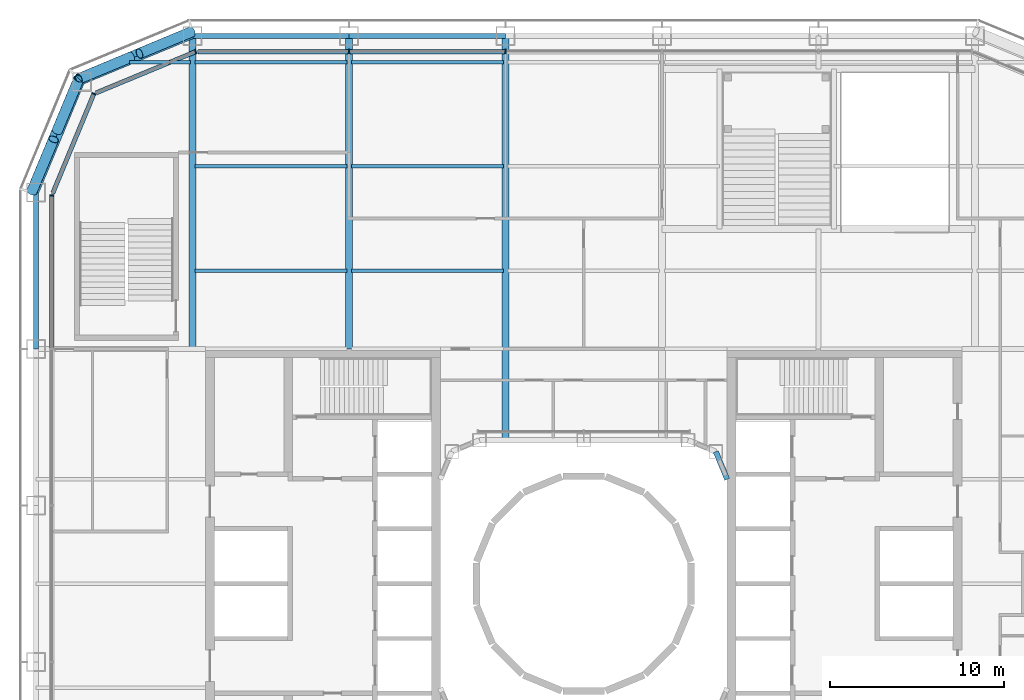
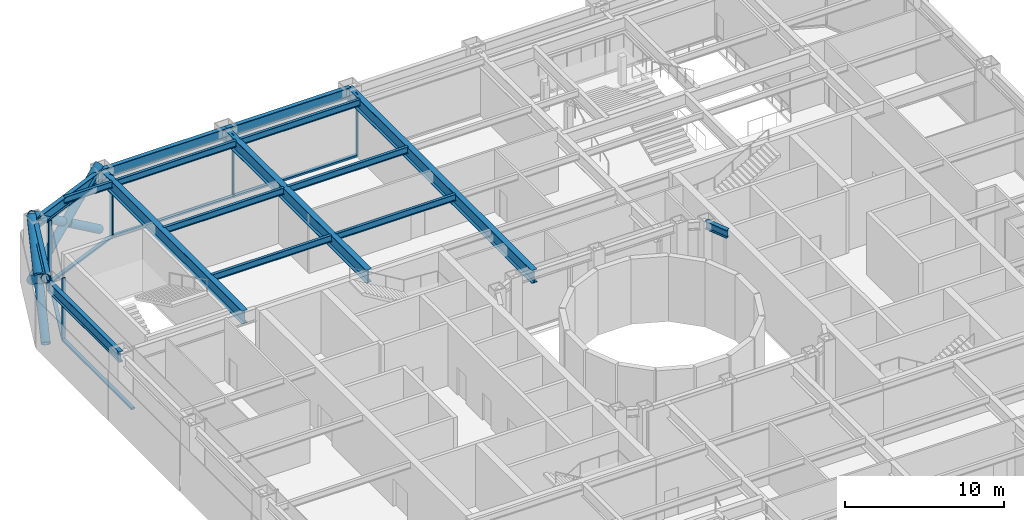
# One storey, part 7 of 25: 16 beams, 16 members, 4 elements without a shape of their own.
"""IFC4 building model written with IfcOpenShell, lengths in metres."""

import ifcopenshell
import ifcopenshell.guid

model = None  # the IFC model being written
_history = None  # IfcOwnerHistory: only IFC2X3 demands one
_inside = {}  # id of a spatial element -> (the spatial element, [elements in it])
_under = {}  # id of a project, library or spatial element -> (it, [spatial elements below it])
_declared = {}  # id of a project -> (the project, [libraries it declares])
_typed = {}  # id of a type object -> (the type object, [elements of that type])
_made_of = {}  # id of a material, layer set ... -> (it, [elements and type objects made of it])


def new_model(schema):
    """Start an empty IFC model of exactly this schema.

    Asked for "IFC4X3", IfcOpenShell would pick the latest addendum, in which some entities
    have other attributes; the version numbers below select the first issue.
    IFC2X3 requires an IfcOwnerHistory on every rooted entity: one is made here for all.
    """
    global model, _history
    if schema == "IFC4X3":
        model = ifcopenshell.file(schema_version=(4, 3, 0, 0))
    else:
        model = ifcopenshell.file(schema=schema)
    _inside.clear()
    _under.clear()
    _declared.clear()
    _typed.clear()
    _made_of.clear()
    _history = None
    if model.schema == "IFC2X3":
        org = make("IfcOrganization", Name="unknown")
        user = make(
            "IfcPersonAndOrganization",
            ThePerson=make("IfcPerson", FamilyName="unknown"),
            TheOrganization=org,
        )
        app = make(
            "IfcApplication",
            ApplicationDeveloper=org,
            Version="unknown",
            ApplicationFullName="unknown",
            ApplicationIdentifier="unknown",
        )
        _history = make(
            "IfcOwnerHistory",
            OwningUser=user,
            OwningApplication=app,
            ChangeAction="ADDED",
            CreationDate=0,
        )
    return model


def make(cls, **values):
    """One entity of the class cls with the attributes given. An attribute that is None is left unset."""
    return model.create_entity(
        cls, **{name: value for name, value in values.items() if value is not None}
    )


def rooted(cls, **values):
    """An entity with a GlobalId (a new one), such as an element, a storey or a relation."""
    return make(cls, GlobalId=ifcopenshell.guid.new(), OwnerHistory=_history, **values)


def si_unit(unit_type, name, prefix=None):
    """IfcSIUnit, for example si_unit("LENGTHUNIT", "METRE", prefix="MILLI")."""
    return make("IfcSIUnit", UnitType=unit_type, Prefix=prefix, Name=name)


def assignment(units):
    """IfcUnitAssignment: the units of a project."""
    return None if units is None else make("IfcUnitAssignment", Units=units)


def point(xyz):
    """IfcCartesianPoint."""
    return None if xyz is None else make("IfcCartesianPoint", Coordinates=xyz)


def direction(xyz):
    """IfcDirection."""
    return None if xyz is None else make("IfcDirection", DirectionRatios=xyz)


def frame(location, z_axis=None, x_axis=None):
    """IfcAxis2Placement3D, a coordinate frame: its origin and axes. An axis left out is left unset."""
    return make(
        "IfcAxis2Placement3D",
        Location=point(location),
        Axis=direction(z_axis),
        RefDirection=direction(x_axis),
    )


def frame_2d(location, x_axis=None):
    """IfcAxis2Placement2D, a coordinate frame in the plane: its origin and x axis."""
    return make(
        "IfcAxis2Placement2D", Location=point(location), RefDirection=direction(x_axis)
    )


def origin():
    """The frame at (0, 0, 0) with its axes left unset."""
    return frame((0.0, 0.0, 0.0))


def origin_2d():
    """The frame at (0, 0) in the plane with its x axis left unset."""
    return frame_2d((0.0, 0.0))


def place(relative_to, where):
    """IfcLocalPlacement: puts the frame where relative to a parent placement (None: the world)."""
    return make(
        "IfcLocalPlacement", PlacementRelTo=relative_to, RelativePlacement=where
    )


def context(
    kind, dimensions, precision=None, world=None, true_north=None, identifier=None
):
    """IfcGeometricRepresentationContext, for example the 3D "Model" context."""
    return make(
        "IfcGeometricRepresentationContext",
        ContextIdentifier=identifier,
        ContextType=kind,
        CoordinateSpaceDimension=dimensions,
        Precision=precision,
        WorldCoordinateSystem=world,
        TrueNorth=true_north,
    )


def subcontext(parent, identifier, kind, view, scale=None):
    """IfcGeometricRepresentationSubContext, for example "Body" below "Model"."""
    return make(
        "IfcGeometricRepresentationSubContext",
        ContextIdentifier=identifier,
        ContextType=kind,
        ParentContext=parent,
        TargetScale=scale,
        TargetView=view,
    )


def project(units=None, contexts=None):
    """IfcProject with its units and contexts."""
    return rooted(
        "IfcProject",
        Name="project",
        RepresentationContexts=contexts,
        UnitsInContext=assignment(units),
    )


def spatial(cls, under=None, at=None, **own):
    """A site, building, storey or space (cls), placed at a placement, below another one or the project."""
    s = rooted(cls, ObjectPlacement=at, **own)
    if under is not None:
        _under.setdefault(under.id(), (under, []))[1].append(s)
    return s


def profile(cls, at=None, kind="AREA", **sizes):
    """A parametric profile (cls). Its sizes go by their IFC names, for example OverallWidth=200.0."""
    return make(cls, ProfileType=kind, Position=at, **sizes)


def rectangle(**sizes):
    """IfcRectangleProfileDef."""
    return profile("IfcRectangleProfileDef", **sizes)


def hollow_circle(**sizes):
    """IfcCircleHollowProfileDef."""
    return profile("IfcCircleHollowProfileDef", **sizes)


def i_section(**sizes):
    """IfcIShapeProfileDef."""
    return profile("IfcIShapeProfileDef", **sizes)


def extrude(swept, where, along, depth):
    """IfcExtrudedAreaSolid: the profile swept, set in the frame where, extruded along a direction by depth."""
    return make(
        "IfcExtrudedAreaSolid",
        SweptArea=swept,
        Position=where,
        ExtrudedDirection=direction(along),
        Depth=depth,
    )


def shape(context_of_items, identifier, shape_type, items):
    """IfcShapeRepresentation: the items that make up one representation, for example the "Body"."""
    return make(
        "IfcShapeRepresentation",
        ContextOfItems=context_of_items,
        RepresentationIdentifier=identifier,
        RepresentationType=shape_type,
        Items=items,
    )


def material(Name=None, Category=None):
    """IfcMaterial."""
    return make("IfcMaterial", Name=Name, Category=Category)


def layer(
    of_material, thickness, ventilated=None, Name=None, Category=None, Priority=None
):
    """IfcMaterialLayer: one layer of a wall or slab, of a material (None: an air gap)."""
    return make(
        "IfcMaterialLayer",
        Material=of_material,
        LayerThickness=thickness,
        IsVentilated=ventilated,
        Name=Name,
        Category=Category,
        Priority=Priority,
    )


def layer_set(layers, Name=None):
    """IfcMaterialLayerSet."""
    return make("IfcMaterialLayerSet", MaterialLayers=layers, LayerSetName=Name)


def material_profile(
    of_material, cross_section, Name=None, Category=None, Priority=None
):
    """IfcMaterialProfile: a cross section and its material."""
    return make(
        "IfcMaterialProfile",
        Name=Name,
        Material=of_material,
        Profile=cross_section,
        Priority=Priority,
        Category=Category,
    )


def profile_set(profiles, Name=None, composite=None):
    """IfcMaterialProfileSet."""
    return make(
        "IfcMaterialProfileSet",
        Name=Name,
        MaterialProfiles=profiles,
        CompositeProfile=composite,
    )


def made_of(thing, what):
    """Note that an element or type object is made of a material, layer set ...; save() writes the relation."""
    if what is not None:
        _made_of.setdefault(what.id(), (what, []))[1].append(thing)
    return thing


def type_object(cls, material=None, **own):
    """A type object (cls), such as IfcWallType, which elements share."""
    return made_of(rooted(cls, **own), material)


def element(
    cls,
    number,
    at=None,
    inside=None,
    cuts=None,
    type_object=None,
    material=None,
    context=None,
    identifier="Body",
    shape_type=None,
    held_by="IfcProductDefinitionShape",
    body=None,
    shapes=None,
    **own,
):
    """One element of the class cls, such as IfcWall. Its Tag is "e" and its number.

    at: its placement. inside: the storey or other place that contains it. cuts: it is an
    opening in that element (IfcRelVoidsElement). A single representation is given by context,
    identifier, shape_type and body (its items); several are given by shapes. held_by: the class
    of the entity that holds the representations. save() writes the other relations.
    """
    e = rooted(cls, Tag="e%d" % number, ObjectPlacement=at, **own)
    if body is not None:
        shapes = [shape(context, identifier, shape_type, body)]
    if shapes is not None:
        e.Representation = make(held_by, Representations=shapes)
    if inside is not None:
        _inside.setdefault(inside.id(), (inside, []))[1].append(e)
    if cuts is not None:
        rooted(
            "IfcRelVoidsElement", RelatingBuildingElement=cuts, RelatedOpeningElement=e
        )
    if type_object is not None:
        _typed.setdefault(type_object.id(), (type_object, []))[1].append(e)
    return made_of(e, material)


def aggregate(whole, parts):
    """IfcRelAggregates: a whole, such as a stair, and the parts it consists of."""
    return rooted("IfcRelAggregates", RelatingObject=whole, RelatedObjects=parts)


def save(model, path):
    """Write the relations noted so far, then the file.

    IfcRelAggregates (storeys below a building ...), IfcRelContainedInSpatialStructure (elements
    in a storey), IfcRelDefinesByType, IfcRelAssociatesMaterial and IfcRelDeclares: one each for
    every whole, place, type object, material and project.
    """
    for whole, parts in _under.values():
        aggregate(whole, parts)
    for where, things in _inside.values():
        rooted(
            "IfcRelContainedInSpatialStructure",
            RelatedElements=things,
            RelatingStructure=where,
        )
    for kind, things in _typed.values():
        rooted("IfcRelDefinesByType", RelatedObjects=things, RelatingType=kind)
    for what, things in _made_of.values():
        rooted("IfcRelAssociatesMaterial", RelatedObjects=things, RelatingMaterial=what)
    for by, libraries in _declared.values():
        rooted("IfcRelDeclares", RelatingContext=by, RelatedDefinitions=libraries)
    model.write(path)


model = new_model("IFC4")

# Units and contexts
model_context = context("Model", 3, precision=1e-05, world=origin(), true_north=direction((0.0, 1.0)))
body_context = subcontext(model_context, "Body", "Model", "MODEL_VIEW")
ifc_project = project(units=[si_unit("LENGTHUNIT", "METRE"), si_unit("AREAUNIT", "SQUARE_METRE"), si_unit("VOLUMEUNIT", "CUBIC_METRE"), si_unit("PLANEANGLEUNIT", "RADIAN"), si_unit("MASSUNIT", "GRAM", prefix="KILO")], contexts=[model_context])

# Site, building, storey
site_placement = place(None, origin())
site = spatial("IfcSite", under=ifc_project, at=site_placement, CompositionType="ELEMENT")
building_placement = place(site_placement, origin())
building = spatial("IfcBuilding", under=site, at=building_placement, Name="Siwar Civic Tower", CompositionType="ELEMENT")
storey_placement = place(building_placement, frame((0.0, 0.0, 7.199951171875)))
storey = spatial("IfcBuildingStorey", under=building, at=storey_placement, Name="L01", CompositionType="ELEMENT", Elevation=7.199951171875)

# Curtain wall, members
ifc_material_1 = material(Name="Aluminium and glass", Category="aluminium")
ifc_layer_1 = layer(ifc_material_1, 0.25)
ifc_layer_set_1 = layer_set([ifc_layer_1], Name="Aluminium and glass")
curtain_wall_type_1 = type_object("IfcCurtainWallType", Name="ENV-CW-H", PredefinedType="NOTDEFINED", material=ifc_layer_set_1)
curtain_wall_1_placement = place(storey_placement, origin())
curtain_wall_1 = element("IfcCurtainWall", 1, at=curtain_wall_1_placement, inside=storey, type_object=curtain_wall_type_1, Name="Curtain wall H N", PredefinedType="NOTDEFINED")
ifc_material_2 = material(Name="Aluminium 6063-T6", Category="aluminium")
ifc_material_profile_1 = material_profile(ifc_material_2, rectangle(XDim=0.25, YDim=0.080078125, at=origin_2d()), Name="AL 250x80")
ifc_profile_set_1 = profile_set([ifc_material_profile_1], Name="Aluminium 6063-T6")
member_type_1 = type_object("IfcMemberType", Name="ENV-MULLION-H", PredefinedType="MULLION", material=ifc_profile_set_1)
member_1_placement = place(storey_placement, frame((-4.5, 30.60009765625, 0.0), z_axis=(0.0, 0.0, 1.0), x_axis=(0.0, -1.0, 0.0)))
member_1 = element("IfcMember", 2, at=member_1_placement, type_object=member_type_1, Name="Mullion H N 4", PredefinedType="MULLION", context=body_context, shape_type="SweptSolid", body=[
    extrude(rectangle(XDim=0.25, YDim=0.080078125, at=origin_2d()), origin(), (0.0, 0.0, 1.0), 4.800048828125),
])
member_2_placement = place(storey_placement, frame((-13.5, 30.60009765625, 0.0), z_axis=(0.0, 0.0, 1.0), x_axis=(0.0, -1.0, 0.0)))
member_2 = element("IfcMember", 3, at=member_2_placement, type_object=member_type_1, Name="Mullion H N 5", PredefinedType="MULLION", context=body_context, shape_type="SweptSolid", body=[
    extrude(rectangle(XDim=0.25, YDim=0.080078125, at=origin_2d()), origin(), (0.0, 0.0, 1.0), 4.800048828125),
])

# Curtain wall, member
ifc_material_3 = material(Name="Aluminium clad insulated panel", Category="aluminium")
ifc_layer_2 = layer(ifc_material_3, 0.25)
ifc_layer_set_2 = layer_set([ifc_layer_2], Name="Aluminium clad insulated panel")
curtain_wall_type_2 = type_object("IfcCurtainWallType", Name="ENV-CW-HX", PredefinedType="NOTDEFINED", material=ifc_layer_set_2)
curtain_wall_2_placement = place(storey_placement, origin())
curtain_wall_2 = element("IfcCurtainWall", 4, at=curtain_wall_2_placement, inside=storey, type_object=curtain_wall_type_2, Name="Curtain wall H NW1", PredefinedType="NOTDEFINED")
member_3_placement = place(storey_placement, frame((-22.321044921875, 30.60009765625, 0.0), z_axis=(0.0, 0.0, 1.0), x_axis=(0.382683432365, -0.923879532511, 0.0)))
member_3 = element("IfcMember", 5, at=member_3_placement, type_object=member_type_1, Name="Mullion H NW1 1", PredefinedType="MULLION", context=body_context, shape_type="SweptSolid", body=[
    extrude(rectangle(XDim=0.25, YDim=0.080078125, at=origin_2d()), origin(), (0.0, 0.0, 1.0), 4.800048828125),
])

curtain_wall_3_placement = place(storey_placement, origin())
curtain_wall_3 = element("IfcCurtainWall", 6, at=curtain_wall_3_placement, inside=storey, type_object=curtain_wall_type_2, Name="Curtain wall H NW2", PredefinedType="NOTDEFINED")
member_4_placement = place(storey_placement, frame((-28.175048828125, 28.175048828125, 0.0), z_axis=(0.0, 0.0, 1.0), x_axis=(0.923879532511, -0.382683432365, 0.0)))
member_4 = element("IfcMember", 7, at=member_4_placement, type_object=member_type_1, Name="Mullion H NW2 1", PredefinedType="MULLION", context=body_context, shape_type="SweptSolid", body=[
    extrude(rectangle(XDim=0.25, YDim=0.080078125, at=origin_2d()), origin(), (0.0, 0.0, 1.0), 4.800048828125),
])

curtain_wall_4_placement = place(storey_placement, origin())
curtain_wall_4 = element("IfcCurtainWall", 8, at=curtain_wall_4_placement, inside=storey, type_object=curtain_wall_type_1, Name="Curtain wall H W", PredefinedType="NOTDEFINED")
member_5_placement = place(storey_placement, frame((-30.60009765625, 22.321044921875, 0.0), z_axis=(0.0, 0.0, 1.0), x_axis=(1.0, 0.0, 0.0)))
member_5 = element("IfcMember", 9, at=member_5_placement, type_object=member_type_1, Name="Mullion H W 1", PredefinedType="MULLION", context=body_context, shape_type="SweptSolid", body=[
    extrude(rectangle(XDim=0.25, YDim=0.080078125, at=origin_2d()), origin(), (0.0, 0.0, 1.0), 4.800048828125),
])

# Member
ifc_material_4 = material(Name="Aluminium 6063-T6", Category="aluminium")
ifc_material_profile_2 = material_profile(ifc_material_4, rectangle(XDim=0.25, YDim=0.139892578125, at=origin_2d()), Name="AL 250x140")
ifc_profile_set_2 = profile_set([ifc_material_profile_2], Name="Aluminium 6063-T6")
member_type_2 = type_object("IfcMemberType", Name="ENV-TRANSOM-H", PredefinedType="USERDEFINED", material=ifc_profile_set_2)
member_6_placement = place(storey_placement, frame((-4.5400390625, 30.60009765625, 0.070068359375), z_axis=(-1.0, 0.0, 0.0), x_axis=(0.0, -1.0, 0.0)))
member_6 = element("IfcMember", 10, at=member_6_placement, type_object=member_type_2, Name="Transom H N 4", ObjectType="TRANSOM", PredefinedType="USERDEFINED", context=body_context, shape_type="SweptSolid", body=[
    extrude(rectangle(XDim=0.25, YDim=0.139892578125, at=origin_2d()), origin(), (0.0, 0.0, 1.0), 8.919921875),
])

member_7_placement = place(storey_placement, frame((-13.5400390625, 30.60009765625, 0.070068359375), z_axis=(-1.0, 0.0, 0.0), x_axis=(0.0, -1.0, 0.0)))
member_7 = element("IfcMember", 11, at=member_7_placement, type_object=member_type_2, Name="Transom H N 5", ObjectType="TRANSOM", PredefinedType="USERDEFINED", context=body_context, shape_type="SweptSolid", body=[
    extrude(rectangle(XDim=0.25, YDim=0.139892578125, at=origin_2d()), origin(), (0.0, 0.0, 1.0), 8.644287109375),
])

aggregate(curtain_wall_1, [member_1, member_2, member_6, member_7])

member_8_placement = place(storey_placement, frame((-22.35791015625, 30.584716796875, 0.070068359375), z_axis=(-0.92388399052, -0.382672669604, 0.0), x_axis=(0.382672669604, -0.92388399052, 0.0)))
member_8 = element("IfcMember", 12, at=member_8_placement, type_object=member_type_2, Name="Transom H NW1 1", ObjectType="TRANSOM", PredefinedType="USERDEFINED", context=body_context, shape_type="SweptSolid", body=[
    extrude(rectangle(XDim=0.25, YDim=0.139892578125, at=origin_2d()), origin(), (0.0, 0.0, 1.0), 6.15966796875),
])

aggregate(curtain_wall_2, [member_3, member_8])

member_9_placement = place(storey_placement, frame((-28.1904296875, 28.13818359375, 0.070068359375), z_axis=(-0.382672669604, -0.92388399052, 0.0), x_axis=(0.92388399052, -0.382672669604, 0.0)))
member_9 = element("IfcMember", 13, at=member_9_placement, type_object=member_type_2, Name="Transom H NW2 1", ObjectType="TRANSOM", PredefinedType="USERDEFINED", context=body_context, shape_type="SweptSolid", body=[
    extrude(rectangle(XDim=0.25, YDim=0.139892578125, at=origin_2d()), origin(), (0.0, 0.0, 1.0), 6.15966796875),
])

aggregate(curtain_wall_3, [member_4, member_9])

member_10_placement = place(storey_placement, frame((-30.60009765625, 22.281005859375, 0.070068359375), z_axis=(0.0, -1.0, 0.0), x_axis=(1.0, 0.0, 0.0)))
member_10 = element("IfcMember", 14, at=member_10_placement, type_object=member_type_2, Name="Transom H W 1", ObjectType="TRANSOM", PredefinedType="USERDEFINED", context=body_context, shape_type="SweptSolid", body=[
    extrude(rectangle(XDim=0.25, YDim=0.139892578125, at=origin_2d()), origin(), (0.0, 0.0, 1.0), 8.740966796875),
])

aggregate(curtain_wall_4, [member_5, member_10])

# Members
ifc_material_5 = material(Name="Steel S355", Category="steel")
ifc_material_profile_3 = material_profile(ifc_material_5, hollow_circle(Radius=0.304931640625, WallThickness=0.030029296875, at=origin_2d()), Name="CHS610x30")
ifc_profile_set_3 = profile_set([ifc_material_profile_3], Name="Steel S355")
member_type_3 = type_object("IfcMemberType", Name="STR-BR-CHS610x30", PredefinedType="BRACE", material=ifc_profile_set_3)
member_11_placement = place(storey_placement, frame((-29.040771484375, 29.040771484375, 0.0), z_axis=(-0.313403721941, -0.752344350468, 0.579444635312), x_axis=(0.923108759191, -0.384538969033, 0.0)))
element("IfcMember", 15, at=member_11_placement, inside=storey, type_object=member_type_3, Name="L01/brc/ANW1-0-0-1", PredefinedType="BRACE", context=body_context, shape_type="SweptSolid", body=[
    extrude(hollow_circle(Radius=0.304931640625, WallThickness=0.030029296875, at=origin_2d()), origin(), (0.0, 0.0, 1.0), 8.62890625),
])
for number, where, z_axis, x_axis, name in (
    (16, (-31.7451171875, 22.548828125, 0.0), (0.313373422739, 0.752340560323, 0.5794659431), (-0.923121267833, 0.384508939914, 0.0), "L01/brc/ANW1-0-0-2"),
    (17, (-30.293212890625, 26.033935546875, 2.684326171875), (0.313384515382, 0.752367191316, 0.57942536616), (-0.923121267833, 0.384508939914, 0.0), "L01/brc/ANW1-0-0-3"),
):
    element("IfcMember", number, at=place(storey_placement, frame(where, z_axis=z_axis, x_axis=x_axis)), inside=storey, type_object=member_type_3, Name=name, PredefinedType="BRACE", context=body_context, shape_type="SweptSolid", body=[
        extrude(hollow_circle(Radius=0.304931640625, WallThickness=0.030029296875, at=origin_2d()), origin(), (0.0, 0.0, 1.0), 3.99658203125),
    ])
member_12_placement = place(storey_placement, frame((-29.040771484375, 29.040771484375, 0.0), z_axis=(0.752344350468, 0.313403721941, 0.579444635312), x_axis=(-0.384538969033, 0.923108759191, 0.0)))
element("IfcMember", 18, at=member_12_placement, inside=storey, type_object=member_type_3, Name="L01/brc/ANW1-0-0-0", PredefinedType="BRACE", context=body_context, shape_type="SweptSolid", body=[
    extrude(hollow_circle(Radius=0.304931640625, WallThickness=0.030029296875, at=origin_2d()), origin(), (0.0, 0.0, 1.0), 8.62890625),
])
for number, where, z_axis, x_axis, name in (
    (19, (-22.548828125, 31.7451171875, 0.0), (-0.752340560323, -0.313373422739, 0.5794659431), (0.384508939914, -0.923121267833, 0.0), "L01/brc/ANW1-0-0-4"),
    (20, (-26.033935546875, 30.293212890625, 2.684326171875), (-0.752367191316, -0.313384515382, 0.57942536616), (0.384508939914, -0.923121267833, 0.0), "L01/brc/ANW1-0-0-5"),
):
    element("IfcMember", number, at=place(storey_placement, frame(where, z_axis=z_axis, x_axis=x_axis)), inside=storey, type_object=member_type_3, Name=name, PredefinedType="BRACE", context=body_context, shape_type="SweptSolid", body=[
        extrude(hollow_circle(Radius=0.304931640625, WallThickness=0.030029296875, at=origin_2d()), origin(), (0.0, 0.0, 1.0), 3.99658203125),
    ])

# Beams
ifc_material_6 = material(Name="Steel S355", Category="steel")
ifc_material_profile_4 = material_profile(ifc_material_6, i_section(OverallWidth=0.199951171875, OverallDepth=0.5, WebThickness=0.01025390625, FlangeThickness=0.01611328125, FilletRadius=0.02099609375, at=origin_2d()), Name="IPE500")
ifc_profile_set_4 = profile_set([ifc_material_profile_4], Name="Steel S355")
beam_type_1 = type_object("IfcBeamType", Name="STR-FB-IPE500", PredefinedType="JOIST", material=ifc_profile_set_4)
for number, where, z_axis, x_axis, name in (
    (21, (-22.3701171875, 18.0, 4.550048828125), (1.0, 0.0, 0.0), (0.0, 1.0, 0.0), "L01/bm/F044"),
    (22, (-13.3701171875, 18.0, 4.550048828125), (1.0, 0.0, 0.0), (0.0, 1.0, 0.0), "L01/bm/F045"),
    (23, (-22.3701171875, 24.0, 4.550048828125), (1.0, 0.0, 0.0), (0.0, 1.0, 0.0), "L01/bm/F050"),
    (24, (-13.3701171875, 24.0, 4.550048828125), (1.0, 0.0, 0.0), (0.0, 1.0, 0.0), "L01/bm/F051"),
):
    element("IfcBeam", number, at=place(storey_placement, frame(where, z_axis=z_axis, x_axis=x_axis)), inside=storey, type_object=beam_type_1, Name=name, PredefinedType="JOIST", context=body_context, shape_type="SweptSolid", body=[
        extrude(i_section(OverallWidth=0.199951171875, OverallDepth=0.5, WebThickness=0.01025390625, FlangeThickness=0.01611328125, FilletRadius=0.02099609375, at=origin_2d()), origin(), (0.0, 0.0, 1.0), 8.740234375),
    ])
beam_1_placement = place(storey_placement, frame((-26.121337890625, 30.0, 4.550048828125), z_axis=(1.0, 0.0, 0.0), x_axis=(0.0, 1.0, 0.0)))
element("IfcBeam", 25, at=beam_1_placement, inside=storey, type_object=beam_type_1, Name="L01/bm/F056", PredefinedType="JOIST", context=body_context, shape_type="SweptSolid", body=[
    extrude(i_section(OverallWidth=0.199951171875, OverallDepth=0.5, WebThickness=0.01025390625, FlangeThickness=0.01611328125, FilletRadius=0.02099609375, at=origin_2d()), origin(), (0.0, 0.0, 1.0), 3.491455078125),
])
for number, where, z_axis, x_axis, name in (
    (26, (-22.3701171875, 30.0, 4.550048828125), (1.0, 0.0, 0.0), (0.0, 1.0, 0.0), "L01/bm/F057"),
    (27, (-13.3701171875, 30.0, 4.550048828125), (1.0, 0.0, 0.0), (0.0, 1.0, 0.0), "L01/bm/F058"),
):
    element("IfcBeam", number, at=place(storey_placement, frame(where, z_axis=z_axis, x_axis=x_axis)), inside=storey, type_object=beam_type_1, Name=name, PredefinedType="JOIST", context=body_context, shape_type="SweptSolid", body=[
        extrude(i_section(OverallWidth=0.199951171875, OverallDepth=0.5, WebThickness=0.01025390625, FlangeThickness=0.01611328125, FilletRadius=0.02099609375, at=origin_2d()), origin(), (0.0, 0.0, 1.0), 8.740234375),
    ])
ifc_material_7 = material(Name="Steel S355", Category="steel")
ifc_material_profile_5 = material_profile(ifc_material_7, i_section(OverallWidth=0.39990234375, OverallDepth=1.0, WebThickness=0.01611328125, FlangeThickness=0.0400390625, at=origin_2d()), Name="PG1000x400x16x40")
ifc_profile_set_5 = profile_set([ifc_material_profile_5], Name="Steel S355")
beam_type_2 = type_object("IfcBeamType", Name="STR-PG-PG1000x400x16x40", PredefinedType="BEAM", material=ifc_profile_set_5)
for number, where, z_axis, x_axis, name in (
    (28, (-22.5, 13.5, 4.300048828125), (0.0, 1.0, 0.0), (-1.0, 0.0, 0.0), "L01/bm/G02"),
    (29, (-13.5, 13.5, 4.300048828125), (0.0, 1.0, 0.0), (-1.0, 0.0, 0.0), "L01/bm/G05"),
):
    element("IfcBeam", number, at=place(storey_placement, frame(where, z_axis=z_axis, x_axis=x_axis)), inside=storey, type_object=beam_type_2, Name=name, PredefinedType="BEAM", context=body_context, shape_type="SweptSolid", body=[
        extrude(i_section(OverallWidth=0.39990234375, OverallDepth=1.0, WebThickness=0.01611328125, FlangeThickness=0.0400390625, at=origin_2d()), origin(), (0.0, 0.0, 1.0), 18.0),
    ])
beam_2_placement = place(storey_placement, frame((-4.5, 8.25, 4.300048828125), z_axis=(0.0, 1.0, 0.0), x_axis=(-1.0, 0.0, 0.0)))
element("IfcBeam", 30, at=beam_2_placement, inside=storey, type_object=beam_type_2, Name="L01/bm/G07", PredefinedType="BEAM", context=body_context, shape_type="SweptSolid", body=[
    extrude(i_section(OverallWidth=0.39990234375, OverallDepth=1.0, WebThickness=0.01611328125, FlangeThickness=0.0400390625, at=origin_2d()), origin(), (0.0, 0.0, 1.0), 23.25),
])
ifc_material_8 = material(Name="Steel S355", Category="steel")
ifc_material_profile_6 = material_profile(ifc_material_8, i_section(OverallWidth=0.304931640625, OverallDepth=0.6201171875, WebThickness=0.02099609375, FlangeThickness=0.0400390625, FilletRadius=0.027099609375, at=origin_2d()), Name="HEM600")
ifc_profile_set_6 = profile_set([ifc_material_profile_6], Name="Steel S355")
beam_type_3 = type_object("IfcBeamType", Name="STR-RB-HEM600", PredefinedType="BEAM", material=ifc_profile_set_6)
beam_3_placement = place(storey_placement, frame((7.591064453125, 7.591064453125, 4.489990234375), z_axis=(0.382631424892, -0.923901072997, 0.0), x_axis=(0.923901072997, 0.382631424892, 0.0)))
element("IfcBeam", 31, at=beam_3_placement, inside=storey, type_object=beam_type_3, Name="L01/bm/RNEE", PredefinedType="BEAM", context=body_context, shape_type="SweptSolid", body=[
    extrude(i_section(OverallWidth=0.304931640625, OverallDepth=0.6201171875, WebThickness=0.02099609375, FlangeThickness=0.0400390625, FilletRadius=0.027099609375, at=origin_2d()), origin(), (0.0, 0.0, 1.0), 1.72216796875),
])
ifc_material_9 = material(Name="Steel S355", Category="steel")
ifc_material_profile_7 = material_profile(ifc_material_9, i_section(OverallWidth=0.302978515625, OverallDepth=0.81396484375, WebThickness=0.02099609375, FlangeThickness=0.0400390625, FilletRadius=0.030029296875, at=origin_2d()), Name="HEM800")
ifc_profile_set_7 = profile_set([ifc_material_profile_7], Name="Steel S355")
beam_type_4 = type_object("IfcBeamType", Name="STR-SB-HEM800", PredefinedType="BEAM", material=ifc_profile_set_7)
for number, where, z_axis, x_axis, name in (
    (32, (-4.5, 31.5, 4.39306640625), (-1.0, 0.0, 0.0), (0.0, -1.0, 0.0), "L01/bm/SN-3"),
    (33, (-13.5, 31.5, 4.39306640625), (-1.0, 0.0, 0.0), (0.0, -1.0, 0.0), "L01/bm/SN-4"),
):
    element("IfcBeam", number, at=place(storey_placement, frame(where, z_axis=z_axis, x_axis=x_axis)), inside=storey, type_object=beam_type_4, Name=name, PredefinedType="BEAM", context=body_context, shape_type="SweptSolid", body=[
        extrude(i_section(OverallWidth=0.302978515625, OverallDepth=0.81396484375, WebThickness=0.02099609375, FlangeThickness=0.0400390625, FilletRadius=0.030029296875, at=origin_2d()), origin(), (0.0, 0.0, 1.0), 9.0),
    ])
for number, where, z_axis, x_axis, name in (
    (34, (-22.5, 31.5, 4.39306640625), (-0.923883353507, -0.382674207535, 0.0), (0.382674207535, -0.923883353507, 0.0), "L01/bm/SNW1-0"),
    (35, (-28.864013671875, 28.864013671875, 4.39306640625), (-0.382674207535, -0.923883353507, 0.0), (0.923883353507, -0.382674207535, 0.0), "L01/bm/SNW2-0"),
):
    element("IfcBeam", number, at=place(storey_placement, frame(where, z_axis=z_axis, x_axis=x_axis)), inside=storey, type_object=beam_type_4, Name=name, PredefinedType="BEAM", context=body_context, shape_type="SweptSolid", body=[
        extrude(i_section(OverallWidth=0.302978515625, OverallDepth=0.81396484375, WebThickness=0.02099609375, FlangeThickness=0.0400390625, FilletRadius=0.030029296875, at=origin_2d()), origin(), (0.0, 0.0, 1.0), 6.888427734375),
    ])
beam_4_placement = place(storey_placement, frame((-31.5, 22.5, 4.39306640625), z_axis=(0.0, -1.0, 0.0), x_axis=(1.0, 0.0, 0.0)))
element("IfcBeam", 36, at=beam_4_placement, inside=storey, type_object=beam_type_4, Name="L01/bm/SW-0", PredefinedType="BEAM", context=body_context, shape_type="SweptSolid", body=[
    extrude(i_section(OverallWidth=0.302978515625, OverallDepth=0.81396484375, WebThickness=0.02099609375, FlangeThickness=0.0400390625, FilletRadius=0.030029296875, at=origin_2d()), origin(), (0.0, 0.0, 1.0), 9.0),
])

save(model, "model.ifc")
